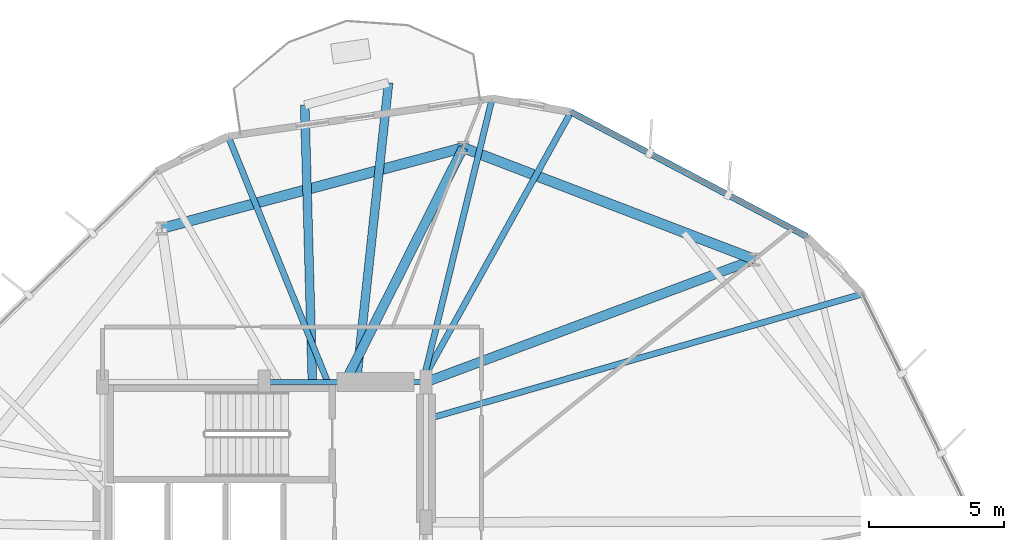
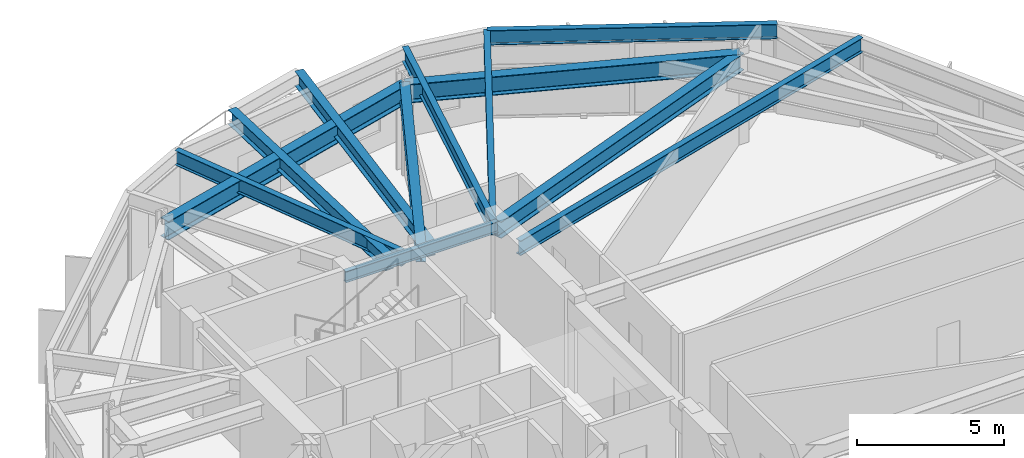
# One storey, part 12 of 22: 12 beams.
"""IFC4 building model written with IfcOpenShell, lengths in metres."""

from ifc_helpers import new_model, si_unit, direction, frame, origin, origin_2d, place, context, subcontext, project, spatial, i_section, extrude, material, material_profile, profile_set, type_object, element, save


model = new_model("IFC4")

# Units and contexts
model_context = context("Model", 3, precision=1e-05, world=origin(), true_north=direction((0.0, 1.0)))
body_context = subcontext(model_context, "Body", "Model", "MODEL_VIEW")
ifc_project = project(units=[si_unit("LENGTHUNIT", "METRE"), si_unit("AREAUNIT", "SQUARE_METRE"), si_unit("VOLUMEUNIT", "CUBIC_METRE"), si_unit("PLANEANGLEUNIT", "RADIAN"), si_unit("MASSUNIT", "GRAM", prefix="KILO")], contexts=[model_context])

# Site, building, storey
site_placement = place(None, origin())
site = spatial("IfcSite", under=ifc_project, at=site_placement, CompositionType="ELEMENT")
building_placement = place(site_placement, origin())
building = spatial("IfcBuilding", under=site, at=building_placement, Name="Soratama Intermodal Tower", CompositionType="ELEMENT")
storey_placement = place(building_placement, frame((0.0, 0.0, 58.60009765625)))
storey = spatial("IfcBuildingStorey", under=building, at=storey_placement, Name="L13", CompositionType="ELEMENT", Elevation=58.60009765625)

# Beams
ifc_material_1 = material(Name="Structural steel ASTM A992 Grade 50", Category="steel")
ifc_material_profile_1 = material_profile(ifc_material_1, i_section(OverallWidth=0.324951171875, OverallDepth=0.615966796875, WebThickness=0.013916015625, FlangeThickness=0.021484375, FilletRadius=0.013916015625, at=origin_2d()), Name="W24X117")
ifc_profile_set_1 = profile_set([ifc_material_profile_1], Name="Structural steel ASTM A992 Grade 50")
beam_type_1 = type_object("IfcBeamType", Name="BM-CANT-W24X117", PredefinedType="BEAM", material=ifc_profile_set_1)
beam_1_placement = place(storey_placement, frame((42.01904296875, 35.0400390625, 3.391845703125), z_axis=(0.107194649578, 0.994238053537, 0.0), x_axis=(-0.994238053537, 0.107194649578, 0.0)))
element("IfcBeam", 1, at=beam_1_placement, inside=storey, type_object=beam_type_1, Name="BM-L13-CANT-1-1", PredefinedType="BEAM", context=body_context, shape_type="SweptSolid", body=[
    extrude(i_section(OverallWidth=0.324951171875, OverallDepth=0.615966796875, WebThickness=0.013916015625, FlangeThickness=0.021484375, FilletRadius=0.013916015625, at=origin_2d()), origin(), (0.0, 0.0, 1.0), 11.128173828125),
])
beam_2_placement = place(storey_placement, frame((40.384033203125, 35.0400390625, 3.391845703125), z_axis=(-0.027643929112, 0.999617833566, 0.0), x_axis=(-0.999617833566, -0.027643929112, 0.0)))
element("IfcBeam", 2, at=beam_2_placement, inside=storey, type_object=beam_type_1, Name="BM-L13-CANT-1-2", PredefinedType="BEAM", context=body_context, shape_type="SweptSolid", body=[
    extrude(i_section(OverallWidth=0.324951171875, OverallDepth=0.615966796875, WebThickness=0.013916015625, FlangeThickness=0.021484375, FilletRadius=0.013916015625, at=origin_2d()), origin(), (0.0, 0.0, 1.0), 10.23583984375),
])
ifc_material_2 = material(Name="Structural steel ASTM A992 Grade 50", Category="steel")
ifc_material_profile_2 = material_profile(ifc_material_2, i_section(OverallWidth=0.19091796875, OverallDepth=0.4599609375, WebThickness=0.010009765625, FlangeThickness=0.01611328125, FilletRadius=0.010986328125, at=origin_2d()), Name="W18X55")
ifc_profile_set_2 = profile_set([ifc_material_profile_2], Name="Structural steel ASTM A992 Grade 50")
beam_type_2 = type_object("IfcBeamType", Name="BM-FLR-W18X55", PredefinedType="BEAM", material=ifc_profile_set_2)
beam_3_placement = place(storey_placement, frame((44.60009765625, 35.0, 3.469970703125), z_axis=(-1.0, 0.0, 0.0), x_axis=(0.0, -1.0, 0.0)))
element("IfcBeam", 3, at=beam_3_placement, inside=storey, type_object=beam_type_2, Name="BM-L13-CRING-06", PredefinedType="BEAM", context=body_context, shape_type="SweptSolid", body=[
    extrude(i_section(OverallWidth=0.19091796875, OverallDepth=0.4599609375, WebThickness=0.010009765625, FlangeThickness=0.01611328125, FilletRadius=0.010986328125, at=origin_2d()), origin(), (0.0, 0.0, 1.0), 6.0),
])
ifc_material_3 = material(Name="Structural steel ASTM A992 Grade 50", Category="steel")
ifc_material_profile_3 = material_profile(ifc_material_3, i_section(OverallWidth=0.35498046875, OverallDepth=0.695068359375, WebThickness=0.015380859375, FlangeThickness=0.02490234375, FilletRadius=0.01611328125, at=origin_2d()), Name="W27X146")
ifc_profile_set_3 = profile_set([ifc_material_profile_3], Name="Structural steel ASTM A992 Grade 50")
beam_type_3 = type_object("IfcBeamType", Name="BM-RING-W27X146", PredefinedType="BEAM", material=ifc_profile_set_3)
beam_4_placement = place(storey_placement, frame((44.60009765625, 35.0, 3.352294921875), z_axis=(0.936827486358, 0.349791739189, 0.0), x_axis=(-0.349791739189, 0.936827486358, 0.0)))
element("IfcBeam", 4, at=beam_4_placement, inside=storey, type_object=beam_type_3, Name="BM-L13-RAD-02", PredefinedType="BEAM", context=body_context, shape_type="SweptSolid", body=[
    extrude(i_section(OverallWidth=0.35498046875, OverallDepth=0.695068359375, WebThickness=0.015380859375, FlangeThickness=0.02490234375, FilletRadius=0.01611328125, at=origin_2d()), origin(), (0.0, 0.0, 1.0), 13.002197265625),
])
beam_5_placement = place(storey_placement, frame((41.60009765625, 35.0, 3.352294921875), z_axis=(0.449910017166, 0.893073891934, 0.0), x_axis=(-0.893073891934, 0.449910017166, 0.0)))
element("IfcBeam", 5, at=beam_5_placement, inside=storey, type_object=beam_type_3, Name="BM-L13-RAD-03", PredefinedType="BEAM", context=body_context, shape_type="SweptSolid", body=[
    extrude(i_section(OverallWidth=0.35498046875, OverallDepth=0.695068359375, WebThickness=0.015380859375, FlangeThickness=0.02490234375, FilletRadius=0.01611328125, at=origin_2d()), origin(), (0.0, 0.0, 1.0), 9.735107421875),
])
ifc_material_4 = material(Name="Structural steel ASTM A992 Grade 50", Category="steel")
ifc_material_profile_4 = material_profile(ifc_material_4, i_section(OverallWidth=0.382080078125, OverallDepth=0.779052734375, WebThickness=0.01806640625, FlangeThickness=0.030029296875, FilletRadius=0.01806640625, at=origin_2d()), Name="W30X191")
ifc_profile_set_4 = profile_set([ifc_material_profile_4], Name="Structural steel ASTM A992 Grade 50")
beam_type_4 = type_object("IfcBeamType", Name="BM-RING-W30X191", PredefinedType="BEAM", material=ifc_profile_set_4)
beam_6_placement = place(storey_placement, frame((56.781005859375, 39.548095703125, 3.310302734375), z_axis=(-0.933584159632, 0.358358224246, 0.0), x_axis=(-0.358358224246, -0.933584159632, 0.0)))
element("IfcBeam", 6, at=beam_6_placement, inside=storey, type_object=beam_type_4, Name="BM-L13-RING-02", PredefinedType="BEAM", context=body_context, shape_type="SweptSolid", body=[
    extrude(i_section(OverallWidth=0.382080078125, OverallDepth=0.779052734375, WebThickness=0.01806640625, FlangeThickness=0.030029296875, FilletRadius=0.01806640625, at=origin_2d()), origin(), (0.0, 0.0, 1.0), 11.5693359375),
])
beam_7_placement = place(storey_placement, frame((45.97998046875, 43.694091796875, 3.310302734375), z_axis=(-0.965935902196, -0.258781438376, 0.0), x_axis=(0.258781438376, -0.965935902196, 0.0)))
element("IfcBeam", 7, at=beam_7_placement, inside=storey, type_object=beam_type_4, Name="BM-L13-RING-03", PredefinedType="BEAM", context=body_context, shape_type="SweptSolid", body=[
    extrude(i_section(OverallWidth=0.382080078125, OverallDepth=0.779052734375, WebThickness=0.01806640625, FlangeThickness=0.030029296875, FilletRadius=0.01806640625, at=origin_2d()), origin(), (0.0, 0.0, 1.0), 11.570068359375),
])
ifc_material_5 = material(Name="Structural steel ASTM A992 Grade 50", Category="steel")
ifc_material_profile_5 = material_profile(ifc_material_5, i_section(OverallWidth=0.22900390625, OverallDepth=0.612060546875, WebThickness=0.011962890625, FlangeThickness=0.01953125, FilletRadius=0.012939453125, at=origin_2d()), Name="W24X84")
ifc_profile_set_5 = profile_set([ifc_material_profile_5], Name="Structural steel ASTM A992 Grade 50")
beam_type_5 = type_object("IfcBeamType", Name="BM-SPN-W24X84", PredefinedType="SPANDREL", material=ifc_profile_set_5)
beam_8_placement = place(storey_placement, frame((58.72705078125, 40.39697265625, 3.393798828125), z_axis=(-0.884257978379, 0.466998744831, 0.0), x_axis=(-0.466998744831, -0.884257978379, 0.0)))
element("IfcBeam", 8, at=beam_8_placement, inside=storey, type_object=beam_type_5, Name="BS-L13-F02", PredefinedType="SPANDREL", context=body_context, shape_type="SweptSolid", body=[
    extrude(i_section(OverallWidth=0.22900390625, OverallDepth=0.612060546875, WebThickness=0.011962890625, FlangeThickness=0.01953125, FilletRadius=0.012939453125, at=origin_2d()), origin(), (0.0, 0.0, 1.0), 9.895263671875),
])
ifc_material_6 = material(Name="Structural steel ASTM A992 Grade 50", Category="steel")
ifc_material_profile_6 = material_profile(ifc_material_6, i_section(OverallWidth=0.22900390625, OverallDepth=0.612060546875, WebThickness=0.011962890625, FlangeThickness=0.01953125, FilletRadius=0.012939453125, at=origin_2d()), Name="W24X84")
ifc_profile_set_6 = profile_set([ifc_material_profile_6], Name="Structural steel ASTM A992 Grade 50")
beam_type_6 = type_object("IfcBeamType", Name="BM-TIE-W24X84", PredefinedType="BEAM", material=ifc_profile_set_6)
beam_9_placement = place(storey_placement, frame((44.637939453125, 33.6259765625, 3.393798828125), z_axis=(0.961093068883, 0.276224750782, 0.0), x_axis=(-0.276224750782, 0.961093068883, 0.0)))
element("IfcBeam", 9, at=beam_9_placement, inside=storey, type_object=beam_type_6, Name="BM-L13-TIE1-01", PredefinedType="BEAM", context=body_context, shape_type="SweptSolid", body=[
    extrude(i_section(OverallWidth=0.22900390625, OverallDepth=0.612060546875, WebThickness=0.011962890625, FlangeThickness=0.01953125, FilletRadius=0.012939453125, at=origin_2d()), origin(), (0.0, 0.0, 1.0), 16.80908203125),
])
beam_10_placement = place(storey_placement, frame((44.451904296875, 35.034912109375, 3.393798828125), z_axis=(0.484232528605, 0.874939345464, 0.0), x_axis=(-0.874939345464, 0.484232528605, 0.0)))
element("IfcBeam", 10, at=beam_10_placement, inside=storey, type_object=beam_type_6, Name="BM-L13-TIE1-02", PredefinedType="BEAM", context=body_context, shape_type="SweptSolid", body=[
    extrude(i_section(OverallWidth=0.22900390625, OverallDepth=0.612060546875, WebThickness=0.011962890625, FlangeThickness=0.01953125, FilletRadius=0.012939453125, at=origin_2d()), origin(), (0.0, 0.0, 1.0), 11.41015625),
])
beam_11_placement = place(storey_placement, frame((44.4951171875, 35.0390625, 3.393798828125), z_axis=(0.237156644287, 0.971471423188, 0.0), x_axis=(-0.971471423188, 0.237156644287, 0.0)))
element("IfcBeam", 11, at=beam_11_placement, inside=storey, type_object=beam_type_6, Name="BM-L13-TIE0-03", PredefinedType="BEAM", context=body_context, shape_type="SweptSolid", body=[
    extrude(i_section(OverallWidth=0.22900390625, OverallDepth=0.612060546875, WebThickness=0.011962890625, FlangeThickness=0.01953125, FilletRadius=0.012939453125, at=origin_2d()), origin(), (0.0, 0.0, 1.0), 10.793701171875),
])
beam_12_placement = place(storey_placement, frame((40.93701171875, 35.037109375, 3.393798828125), z_axis=(-0.375120382869, 0.926976104523, 0.0), x_axis=(-0.926976104523, -0.375120382869, 0.0)))
element("IfcBeam", 12, at=beam_12_placement, inside=storey, type_object=beam_type_6, Name="BM-L13-TIE1-03", PredefinedType="BEAM", context=body_context, shape_type="SweptSolid", body=[
    extrude(i_section(OverallWidth=0.22900390625, OverallDepth=0.612060546875, WebThickness=0.011962890625, FlangeThickness=0.01953125, FilletRadius=0.012939453125, at=origin_2d()), origin(), (0.0, 0.0, 1.0), 9.799560546875),
])

save(model, "model.ifc")
